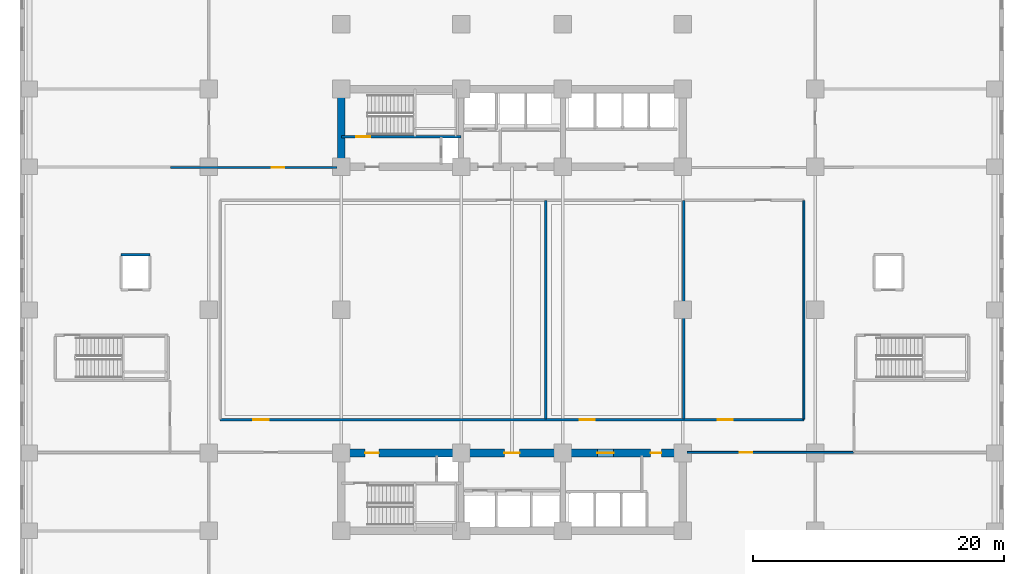
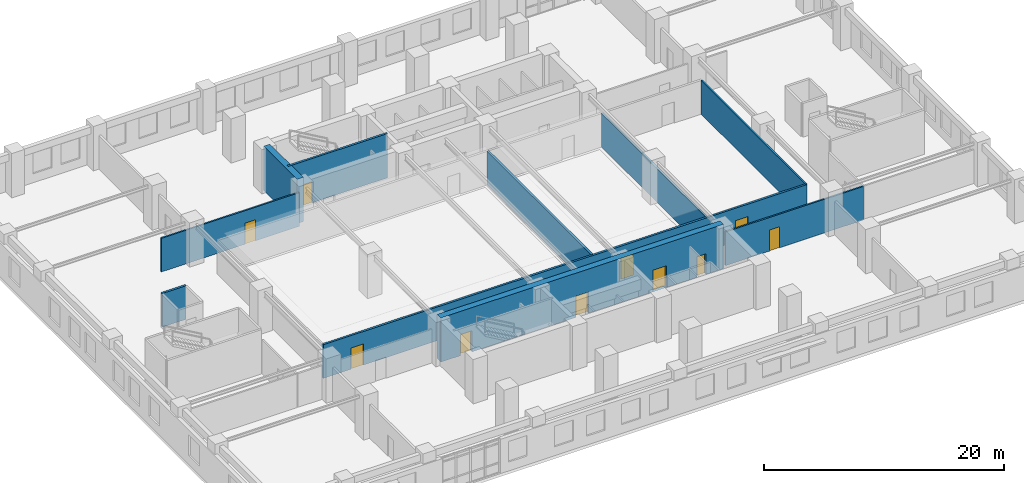
# One storey, part 8 of 16: 10 doors, 10 walls, 10 openings.
"""IFC4 building model written with IfcOpenShell, lengths in metres."""

from ifc_helpers import new_model, si_unit, direction, frame, frame_2d, origin, place, context, subcontext, project, spatial, rectangle, extrude, material, layer, layer_set, type_object, element, fill, save


model = new_model("IFC4")

# Units and contexts
model_context = context("Model", 3, precision=1e-05, world=origin(), true_north=direction((0.0, 1.0)))
body_context = subcontext(model_context, "Body", "Model", "MODEL_VIEW")
ifc_project = project(units=[si_unit("LENGTHUNIT", "METRE"), si_unit("AREAUNIT", "SQUARE_METRE"), si_unit("VOLUMEUNIT", "CUBIC_METRE"), si_unit("PLANEANGLEUNIT", "RADIAN"), si_unit("MASSUNIT", "GRAM", prefix="KILO")], contexts=[model_context])

# Site, building, storey
site_placement = place(None, origin())
site = spatial("IfcSite", under=ifc_project, at=site_placement, CompositionType="ELEMENT")
building_placement = place(site_placement, origin())
building = spatial("IfcBuilding", under=site, at=building_placement, Name="Svetorya Sky Lyceum", CompositionType="ELEMENT")
storey_placement = place(building_placement, frame((0.0, 0.0, 11.10009765625)))
storey = spatial("IfcBuildingStorey", under=building, at=storey_placement, Name="L02", CompositionType="ELEMENT", Elevation=11.10009765625)

# Wall, openings, doors
ifc_material_1 = material(Name="Concrete C60/75", Category="concrete")
ifc_layer_1 = layer(ifc_material_1, 0.60009765625)
ifc_layer_set_1 = layer_set([ifc_layer_1], Name="Concrete C60/75")
wall_type_1 = type_object("IfcWallType", Name="WL-CORE-600", PredefinedType="SHEAR", material=ifc_layer_set_1)
wall_1_placement = place(storey_placement, frame((25.60009765625, 16.800048828125, 0.0), z_axis=(0.0, 0.0, 1.0), x_axis=(1.0, 0.0, 0.0)))
wall_1 = element("IfcWall", 1, at=wall_1_placement, inside=storey, type_object=wall_type_1, Name="L02 SC Inner Core Shear Wall", PredefinedType="SHEAR", context=body_context, shape_type="SweptSolid", body=[
    extrude(rectangle(XDim=27.199951171875, YDim=0.60009765625, at=frame_2d((13.60009765625, 0.0))), origin(), (0.0, 0.0, 1.0), 4.5),
])
opening_1_placement = place(wall_1_placement, frame((1.89990234375, 0.0, 0.0)))
opening_1 = element("IfcOpeningElement", 2, at=opening_1_placement, cuts=wall_1, Name="Opening D-ST1", PredefinedType="OPENING", context=body_context, shape_type="SweptSolid", body=[
    extrude(rectangle(XDim=1.10009765625, YDim=2.14990234375, at=frame_2d((0.550048828125, 1.074951171875))), frame((0.0, 0.31005859375, 0.0), z_axis=(0.0, -1.0, 0.0), x_axis=(1.0, 0.0, 0.0)), (0.0, 0.0, 1.0), 0.6201171875),
])
opening_2_placement = place(wall_1_placement, frame((13.0, 0.0, 0.0)))
opening_2 = element("IfcOpeningElement", 3, at=opening_2_placement, cuts=wall_1, Name="Opening D-FL1", PredefinedType="OPENING", context=body_context, shape_type="SweptSolid", body=[
    extrude(rectangle(XDim=1.199951171875, YDim=2.14990234375, at=frame_2d((0.60009765625, 1.074951171875))), frame((0.0, 0.31005859375, 0.0), z_axis=(0.0, -1.0, 0.0), x_axis=(1.0, 0.0, 0.0)), (0.0, 0.0, 1.0), 0.6201171875),
])
opening_3_placement = place(wall_1_placement, frame((20.39990234375, 0.0, 0.0)))
opening_3 = element("IfcOpeningElement", 4, at=opening_3_placement, cuts=wall_1, Name="Opening D-LB1", PredefinedType="OPENING", context=body_context, shape_type="SweptSolid", body=[
    extrude(rectangle(XDim=1.300048828125, YDim=2.199951171875, at=frame_2d((0.64990234375, 1.10009765625))), frame((0.0, 0.31005859375, 0.0), z_axis=(0.0, -1.0, 0.0), x_axis=(1.0, 0.0, 0.0)), (0.0, 0.0, 1.0), 0.6201171875),
])
opening_4_placement = place(wall_1_placement, frame((24.64990234375, 0.0, 0.0)))
opening_4 = element("IfcOpeningElement", 5, at=opening_4_placement, cuts=wall_1, Name="Opening D-CWC1", PredefinedType="OPENING", context=body_context, shape_type="SweptSolid", body=[
    extrude(rectangle(XDim=0.85009765625, YDim=2.10009765625, at=frame_2d((0.425048828125, 1.050048828125))), frame((0.0, 0.31005859375, 0.0), z_axis=(0.0, -1.0, 0.0), x_axis=(1.0, 0.0, 0.0)), (0.0, 0.0, 1.0), 0.6201171875),
])
ifc_material_2 = material(Name="Fire-rated galvanized steel core service closet door", Category="steel")
door_type_1 = type_object("IfcDoorType", Name="DR-CWET-850", OperationType="SINGLE_SWING_LEFT", PredefinedType="DOOR", material=ifc_material_2)
door_1_placement = place(opening_4_placement, origin())
door_1 = element("IfcDoor", 6, at=door_1_placement, inside=storey, type_object=door_type_1, Name="L02 South Core Auxiliary Door", OperationType="SINGLE_SWING_LEFT", OverallHeight=2.10009765625, OverallWidth=0.85009765625, PredefinedType="DOOR", context=body_context, shape_type="SweptSolid", body=[
    extrude(rectangle(XDim=0.85009765625, YDim=2.10009765625, at=frame_2d((0.425048828125, 1.050048828125))), frame((0.0, 0.02490234375, 0.0), z_axis=(0.0, -1.0, 0.0), x_axis=(1.0, 0.0, 0.0)), (0.0, 0.0, 1.0), 0.050048828125),
])
fill(opening_4, door_1)
ifc_material_3 = material(Name="Powder-coated insulated galvanized stair fire door")
door_type_2 = type_object("IfcDoorType", Name="DR-FIRE-1100", OperationType="SINGLE_SWING_LEFT", PredefinedType="DOOR", material=ifc_material_3)
door_2_placement = place(opening_1_placement, origin())
door_2 = element("IfcDoor", 7, at=door_2_placement, inside=storey, type_object=door_type_2, Name="L02 South Stair Airlock Door", OperationType="SINGLE_SWING_RIGHT", OverallHeight=2.14990234375, OverallWidth=1.10009765625, PredefinedType="DOOR", context=body_context, shape_type="SweptSolid", body=[
    extrude(rectangle(XDim=1.10009765625, YDim=2.14990234375, at=frame_2d((0.550048828125, 1.074951171875))), frame((0.0, 0.02490234375, 0.0), z_axis=(0.0, -1.0, 0.0), x_axis=(1.0, 0.0, 0.0)), (0.0, 0.0, 1.0), 0.050048828125),
])
fill(opening_1, door_2)
ifc_material_4 = material(Name="Powder-coated insulated galvanized fire door")
door_type_3 = type_object("IfcDoorType", Name="DR-FIRE-1200", OperationType="SINGLE_SWING_LEFT", PredefinedType="DOOR", material=ifc_material_4)
door_3_placement = place(opening_2_placement, origin())
door_3 = element("IfcDoor", 8, at=door_3_placement, inside=storey, type_object=door_type_3, Name="L02 South Firefighting Lift Lobby Door", OperationType="SINGLE_SWING_LEFT", OverallHeight=2.14990234375, OverallWidth=1.199951171875, PredefinedType="DOOR", context=body_context, shape_type="SweptSolid", body=[
    extrude(rectangle(XDim=1.199951171875, YDim=2.14990234375, at=frame_2d((0.60009765625, 1.074951171875))), frame((0.0, 0.02490234375, 0.0), z_axis=(0.0, -1.0, 0.0), x_axis=(1.0, 0.0, 0.0)), (0.0, 0.0, 1.0), 0.050048828125),
])
fill(opening_2, door_3)
ifc_material_5 = material(Name="Glazed fire-rated aluminium lobby door", Category="aluminium")
door_type_4 = type_object("IfcDoorType", Name="DR-LOB-1300", OperationType="SINGLE_SWING_LEFT", PredefinedType="DOOR", material=ifc_material_5)
door_4_placement = place(opening_3_placement, origin())
door_4 = element("IfcDoor", 9, at=door_4_placement, inside=storey, type_object=door_type_4, Name="L02 Low-Rise Lift Lobby Door", OperationType="SINGLE_SWING_RIGHT", OverallHeight=2.199951171875, OverallWidth=1.300048828125, PredefinedType="DOOR", context=body_context, shape_type="SweptSolid", body=[
    extrude(rectangle(XDim=1.300048828125, YDim=2.199951171875, at=frame_2d((0.64990234375, 1.10009765625))), frame((0.0, 0.02490234375, 0.0), z_axis=(0.0, -1.0, 0.0), x_axis=(1.0, 0.0, 0.0)), (0.0, 0.0, 1.0), 0.050048828125),
])
fill(opening_3, door_4)

# Walls
wall_2_placement = place(storey_placement, frame((25.60009765625, 39.89990234375, 0.0), z_axis=(0.0, 0.0, 1.0), x_axis=(0.0, 1.0, 0.0)))
element("IfcWall", 10, at=wall_2_placement, inside=storey, type_object=wall_type_1, Name="L02 NC West Core Shear Wall", PredefinedType="SHEAR", context=body_context, shape_type="SweptSolid", body=[
    extrude(rectangle(XDim=5.60009765625, YDim=0.60009765625, at=frame_2d((2.800048828125, 0.0))), origin(), (0.0, 0.0, 1.0), 4.5),
])
ifc_material_6 = material(Name="Autoclaved cellular masonry blockwork with acoustic render", Category="masonry")
ifc_layer_2 = layer(ifc_material_6, 0.14990234375)
ifc_layer_set_2 = layer_set([ifc_layer_2], Name="Autoclaved cellular masonry blockwork with acoustic render")
wall_type_2 = type_object("IfcWallType", Name="WL-PART-150", PredefinedType="PARTITIONING", material=ifc_layer_set_2)
wall_3_placement = place(storey_placement, frame((62.449951171875, 19.5, 0.0), z_axis=(0.0, 0.0, 1.0), x_axis=(0.0, 1.0, 0.0)))
element("IfcWall", 11, at=wall_3_placement, inside=storey, type_object=wall_type_2, Name="L02 Interior Partition CEN-E", PredefinedType="PARTITIONING", context=body_context, shape_type="SweptSolid", body=[
    extrude(rectangle(XDim=17.39990234375, YDim=0.14990234375, at=frame_2d((8.699951171875, 0.0))), origin(), (0.0, 0.0, 1.0), 3.419921875),
])

# Wall, opening, door
wall_4_placement = place(storey_placement, frame((53.14990234375, 16.85009765625, 0.0), z_axis=(0.0, 0.0, 1.0), x_axis=(1.0, 0.0, 0.0)))
wall_4 = element("IfcWall", 12, at=wall_4_placement, inside=storey, type_object=wall_type_2, Name="L02 Interior Partition SE-CORR", PredefinedType="PARTITIONING", context=body_context, shape_type="SweptSolid", body=[
    extrude(rectangle(XDim=13.25, YDim=0.14990234375, at=frame_2d((6.625, 0.0))), origin(), (0.0, 0.0, 1.0), 3.419921875),
])
opening_5_placement = place(wall_4_placement, frame((4.199951171875, 0.0, 0.0)))
opening_5 = element("IfcOpeningElement", 13, at=opening_5_placement, cuts=wall_4, Name="Opening D-RM2", PredefinedType="OPENING", context=body_context, shape_type="SweptSolid", body=[
    extrude(rectangle(XDim=1.0, YDim=2.14990234375, at=frame_2d((0.5, 1.074951171875))), frame((0.0, 0.0849609375, 0.0), z_axis=(0.0, -1.0, 0.0), x_axis=(1.0, 0.0, 0.0)), (0.0, 0.0, 1.0), 0.169921875),
])
ifc_material_7 = material(Name="Solid-core oak acoustic room door")
door_type_5 = type_object("IfcDoorType", Name="DR-INT-1000", OperationType="SINGLE_SWING_LEFT", PredefinedType="DOOR", material=ifc_material_7)
door_5_placement = place(opening_5_placement, origin())
door_5 = element("IfcDoor", 14, at=door_5_placement, inside=storey, type_object=door_type_5, Name="L02 Classroom SE1 Door", OperationType="SINGLE_SWING_RIGHT", OverallHeight=2.14990234375, OverallWidth=1.0, PredefinedType="DOOR", context=body_context, shape_type="SweptSolid", body=[
    extrude(rectangle(XDim=1.0, YDim=2.14990234375, at=frame_2d((0.5, 1.074951171875))), frame((0.0, 0.02490234375, 0.0), z_axis=(0.0, -1.0, 0.0), x_axis=(1.0, 0.0, 0.0)), (0.0, 0.0, 1.0), 0.050048828125),
])
fill(opening_5, door_5)

wall_5_placement = place(storey_placement, frame((25.25, 39.550048828125, 0.0), z_axis=(0.0, 0.0, 1.0), x_axis=(-1.0, 0.0, 0.0)))
wall_5 = element("IfcWall", 15, at=wall_5_placement, inside=storey, type_object=wall_type_2, Name="L02 Interior Partition NW-CORR", PredefinedType="PARTITIONING", context=body_context, shape_type="SweptSolid", body=[
    extrude(rectangle(XDim=13.25, YDim=0.14990234375, at=frame_2d((6.625, 0.0))), origin(), (0.0, 0.0, 1.0), 3.419921875),
])
opening_6_placement = place(wall_5_placement, frame((4.199951171875, 0.0, 0.0)))
opening_6 = element("IfcOpeningElement", 16, at=opening_6_placement, cuts=wall_5, Name="Opening D-RM2", PredefinedType="OPENING", context=body_context, shape_type="SweptSolid", body=[
    extrude(rectangle(XDim=1.0, YDim=2.14990234375, at=frame_2d((0.5, 1.074951171875))), frame((0.0, 0.0849609375, 0.0), z_axis=(0.0, -1.0, 0.0), x_axis=(1.0, 0.0, 0.0)), (0.0, 0.0, 1.0), 0.169921875),
])
door_6_placement = place(opening_6_placement, origin())
door_6 = element("IfcDoor", 17, at=door_6_placement, inside=storey, type_object=door_type_5, Name="L02 Classroom NW2 Door", OperationType="SINGLE_SWING_RIGHT", OverallHeight=2.14990234375, OverallWidth=1.0, PredefinedType="DOOR", context=body_context, shape_type="SweptSolid", body=[
    extrude(rectangle(XDim=1.0, YDim=2.14990234375, at=frame_2d((0.5, 1.074951171875))), frame((0.0, 0.02490234375, 0.0), z_axis=(0.0, -1.0, 0.0), x_axis=(1.0, 0.0, 0.0)), (0.0, 0.0, 1.0), 0.050048828125),
])
fill(opening_6, door_6)

# Walls
ifc_material_8 = material(Name="Autoclaved cellular masonry blockwork with gypsum plaster", Category="masonry")
ifc_layer_3 = layer(ifc_material_8, 0.199951171875)
ifc_layer_set_3 = layer_set([ifc_layer_3], Name="Autoclaved cellular masonry blockwork with gypsum plaster")
wall_type_3 = type_object("IfcWallType", Name="WL-PART-200", PredefinedType="PARTITIONING", material=ifc_layer_set_3)
wall_6_placement = place(storey_placement, frame((8.050048828125, 32.60009765625, 0.0), z_axis=(0.0, 0.0, 1.0), x_axis=(1.0, 0.0, 0.0)))
element("IfcWall", 18, at=wall_6_placement, inside=storey, type_object=wall_type_3, Name="L02 Interior Partition SHL-N-SCHL1", PredefinedType="PARTITIONING", context=body_context, shape_type="SweptSolid", body=[
    extrude(rectangle(XDim=2.300048828125, YDim=0.199951171875, at=frame_2d((1.14990234375, 0.0))), origin(), (0.0, 0.0, 1.0), 3.419921875),
])
for number, where, z_axis, x_axis, name in (
    (19, (41.89990234375, 19.5, 0.0), (0.0, 0.0, 1.0), (0.0, 1.0, 0.0), "L02 Interior Partition CEN-DIV-1"),
    (20, (52.89990234375, 19.5, 0.0), (0.0, 0.0, 1.0), (0.0, 1.0, 0.0), "L02 Interior Partition CEN-DIV-2"),
):
    element("IfcWall", number, at=place(storey_placement, frame(where, z_axis=z_axis, x_axis=x_axis)), inside=storey, type_object=wall_type_3, Name=name, PredefinedType="PARTITIONING", context=body_context, shape_type="SweptSolid", body=[
        extrude(rectangle(XDim=17.39990234375, YDim=0.199951171875, at=frame_2d((8.699951171875, 0.0))), origin(), (0.0, 0.0, 1.0), 3.419921875),
    ])

# Wall, openings, doors
wall_7_placement = place(storey_placement, frame((15.949951171875, 19.449951171875, 0.0), z_axis=(0.0, 0.0, 1.0), x_axis=(1.0, 0.0, 0.0)))
wall_7 = element("IfcWall", 21, at=wall_7_placement, inside=storey, type_object=wall_type_3, Name="L02 Interior Partition CEN-S", PredefinedType="PARTITIONING", context=body_context, shape_type="SweptSolid", body=[
    extrude(rectangle(XDim=46.5, YDim=0.199951171875, at=frame_2d((23.25, 0.0))), origin(), (0.0, 0.0, 1.0), 3.419921875),
])
opening_7_placement = place(wall_7_placement, frame((2.64990234375, 0.0, 0.0)))
opening_7 = element("IfcOpeningElement", 22, at=opening_7_placement, cuts=wall_7, Name="Opening D-SC1", PredefinedType="OPENING", context=body_context, shape_type="SweptSolid", body=[
    extrude(rectangle(XDim=1.199951171875, YDim=2.14990234375, at=frame_2d((0.60009765625, 1.074951171875))), frame((0.0, 0.10986328125, 0.0), z_axis=(0.0, -1.0, 0.0), x_axis=(1.0, 0.0, 0.0)), (0.0, 0.0, 1.0), 0.219970703125),
])
opening_8_placement = place(wall_7_placement, frame((28.64990234375, 0.0, 0.0)))
opening_8 = element("IfcOpeningElement", 23, at=opening_8_placement, cuts=wall_7, Name="Opening D-SC1", PredefinedType="OPENING", context=body_context, shape_type="SweptSolid", body=[
    extrude(rectangle(XDim=1.199951171875, YDim=2.14990234375, at=frame_2d((0.60009765625, 1.074951171875))), frame((0.0, 0.10986328125, 0.0), z_axis=(0.0, -1.0, 0.0), x_axis=(1.0, 0.0, 0.0)), (0.0, 0.0, 1.0), 0.219970703125),
])
opening_9_placement = place(wall_7_placement, frame((39.64990234375, 0.0, 0.0)))
opening_9 = element("IfcOpeningElement", 24, at=opening_9_placement, cuts=wall_7, Name="Opening D-SC1", PredefinedType="OPENING", context=body_context, shape_type="SweptSolid", body=[
    extrude(rectangle(XDim=1.199951171875, YDim=2.14990234375, at=frame_2d((0.60009765625, 1.074951171875))), frame((0.0, 0.10986328125, 0.0), z_axis=(0.0, -1.0, 0.0), x_axis=(1.0, 0.0, 0.0)), (0.0, 0.0, 1.0), 0.219970703125),
])
ifc_material_9 = material(Name="Acoustic solid-core birch classroom door")
door_type_6 = type_object("IfcDoorType", Name="DR-SCH-1200", OperationType="SINGLE_SWING_LEFT", PredefinedType="DOOR", material=ifc_material_9)
door_7_placement = place(opening_7_placement, origin())
door_7 = element("IfcDoor", 25, at=door_7_placement, inside=storey, type_object=door_type_6, Name="L02 Assembly Lecture Hall South Door", OperationType="SINGLE_SWING_LEFT", OverallHeight=2.14990234375, OverallWidth=1.199951171875, PredefinedType="DOOR", context=body_context, shape_type="SweptSolid", body=[
    extrude(rectangle(XDim=1.199951171875, YDim=2.14990234375, at=frame_2d((0.60009765625, 1.074951171875))), frame((0.0, 0.02490234375, 0.0), z_axis=(0.0, -1.0, 0.0), x_axis=(1.0, 0.0, 0.0)), (0.0, 0.0, 1.0), 0.050048828125),
])
fill(opening_7, door_7)
door_8_placement = place(opening_8_placement, origin())
door_8 = element("IfcDoor", 26, at=door_8_placement, inside=storey, type_object=door_type_6, Name="L02 Laboratory Cosmic Robotics South Door", OperationType="SINGLE_SWING_RIGHT", OverallHeight=2.14990234375, OverallWidth=1.199951171875, PredefinedType="DOOR", context=body_context, shape_type="SweptSolid", body=[
    extrude(rectangle(XDim=1.199951171875, YDim=2.14990234375, at=frame_2d((0.60009765625, 1.074951171875))), frame((0.0, 0.02490234375, 0.0), z_axis=(0.0, -1.0, 0.0), x_axis=(1.0, 0.0, 0.0)), (0.0, 0.0, 1.0), 0.050048828125),
])
fill(opening_8, door_8)
door_9_placement = place(opening_9_placement, origin())
door_9 = element("IfcDoor", 27, at=door_9_placement, inside=storey, type_object=door_type_6, Name="L02 Laboratory Physics Teaching South Door", OperationType="SINGLE_SWING_LEFT", OverallHeight=2.14990234375, OverallWidth=1.199951171875, PredefinedType="DOOR", context=body_context, shape_type="SweptSolid", body=[
    extrude(rectangle(XDim=1.199951171875, YDim=2.14990234375, at=frame_2d((0.60009765625, 1.074951171875))), frame((0.0, 0.02490234375, 0.0), z_axis=(0.0, -1.0, 0.0), x_axis=(1.0, 0.0, 0.0)), (0.0, 0.0, 1.0), 0.050048828125),
])
fill(opening_9, door_9)

# Wall, opening, door
ifc_material_10 = material(Name="Concrete C50/60", Category="concrete")
ifc_layer_4 = layer(ifc_material_10, 0.199951171875)
ifc_layer_set_4 = layer_set([ifc_layer_4], Name="Concrete C50/60")
wall_type_4 = type_object("IfcWallType", Name="WL-SHW-200", PredefinedType="SHEAR", material=ifc_layer_set_4)
wall_8_placement = place(storey_placement, frame((35.14990234375, 42.0, 0.0), z_axis=(0.0, 0.0, 1.0), x_axis=(-1.0, 0.0, 0.0)))
wall_8 = element("IfcWall", 28, at=wall_8_placement, inside=storey, type_object=wall_type_4, Name="L02 Structural Stair Shaft Wall NC-STW", PredefinedType="SHEAR", context=body_context, shape_type="SweptSolid", body=[
    extrude(rectangle(XDim=9.5498046875, YDim=0.199951171875, at=frame_2d((4.77490234375, 0.0))), origin(), (0.0, 0.0, 1.0), 4.5),
])
opening_10_placement = place(wall_8_placement, frame((7.25, 0.0, 0.0)))
opening_10 = element("IfcOpeningElement", 29, at=opening_10_placement, cuts=wall_8, Name="Opening D-ST1", PredefinedType="OPENING", context=body_context, shape_type="SweptSolid", body=[
    extrude(rectangle(XDim=1.10009765625, YDim=2.14990234375, at=frame_2d((0.550048828125, 1.074951171875))), frame((0.0, 0.10986328125, 0.0), z_axis=(0.0, -1.0, 0.0), x_axis=(1.0, 0.0, 0.0)), (0.0, 0.0, 1.0), 0.219970703125),
])
door_10_placement = place(opening_10_placement, origin())
door_10 = element("IfcDoor", 30, at=door_10_placement, inside=storey, type_object=door_type_2, Name="L02 Stair ST-N Vestibule Fire Door", OperationType="SINGLE_SWING_RIGHT", OverallHeight=2.14990234375, OverallWidth=1.10009765625, PredefinedType="DOOR", context=body_context, shape_type="SweptSolid", body=[
    extrude(rectangle(XDim=1.10009765625, YDim=2.14990234375, at=frame_2d((0.550048828125, 1.074951171875))), frame((0.0, 0.02490234375, 0.0), z_axis=(0.0, -1.0, 0.0), x_axis=(1.0, 0.0, 0.0)), (0.0, 0.0, 1.0), 0.050048828125),
])
fill(opening_10, door_10)

save(model, "model.ifc")
